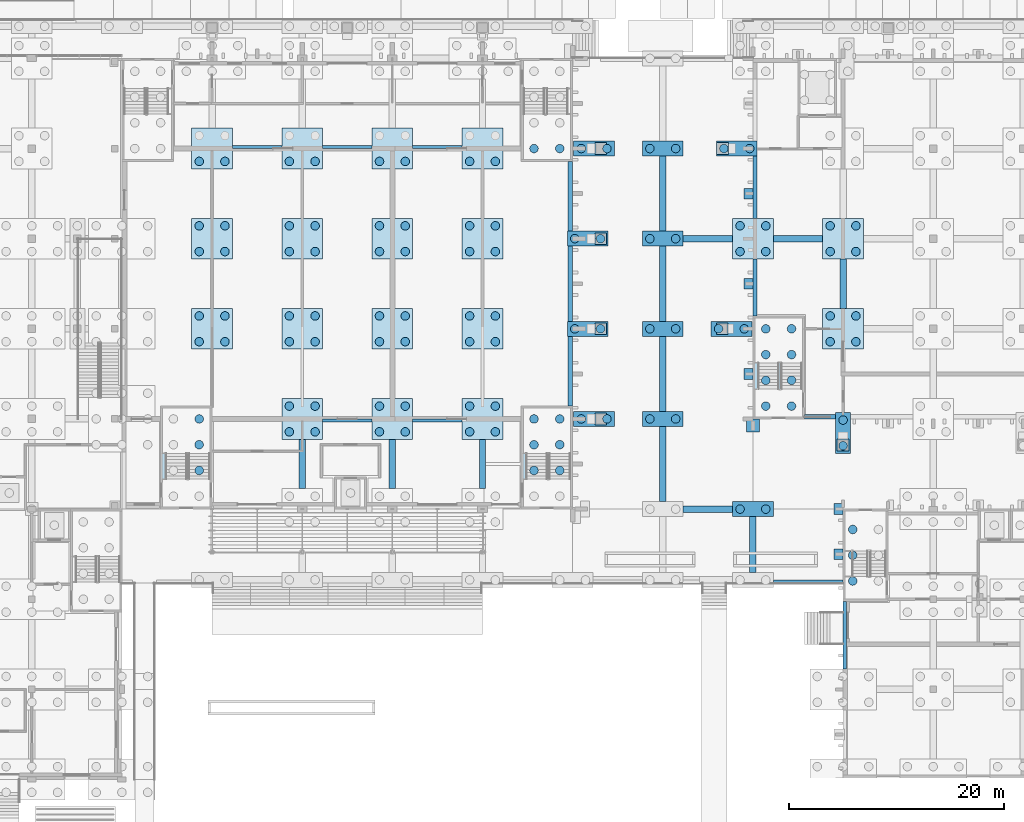
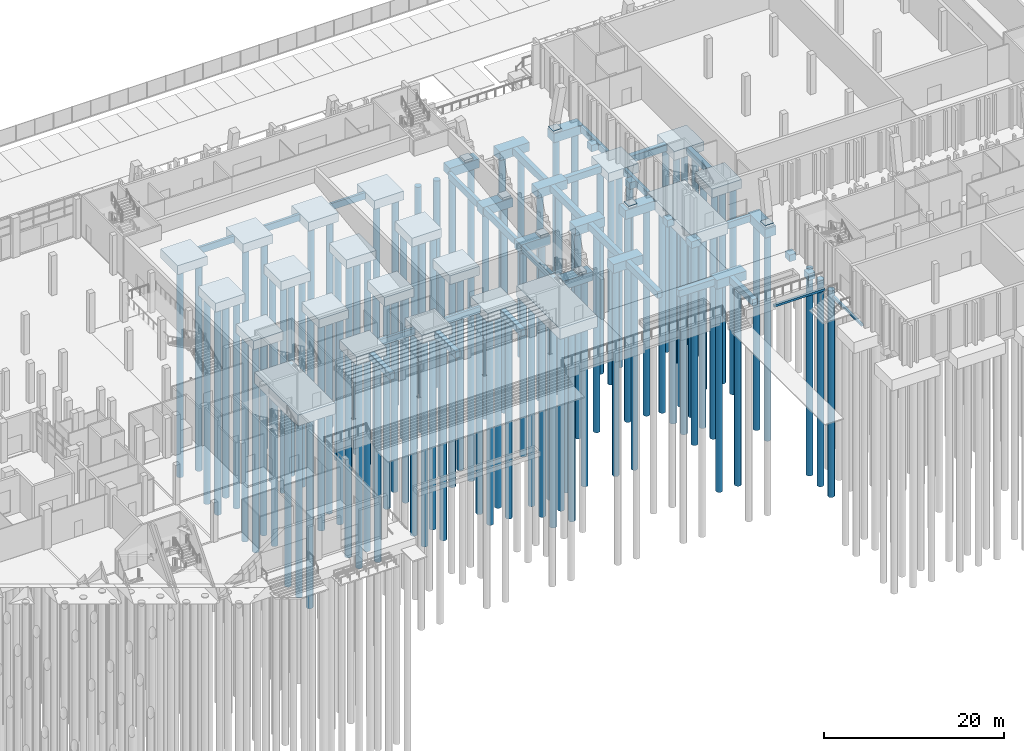
# One storey, part 5 of 129: 110 piles, 71 footings.
"""IFC4 building model written with IfcOpenShell, lengths in metres."""

from ifc_helpers import new_model, si_unit, direction, frame, origin, origin_2d, place, context, subcontext, project, spatial, rectangle, circle, extrude, material, material_profile, profile_set, type_object, element, save


model = new_model("IFC4")

# Units and contexts
model_context = context("Model", 3, precision=1e-05, world=origin(), true_north=direction((0.0, 1.0)))
body_context = subcontext(model_context, "Body", "Model", "MODEL_VIEW")
ifc_project = project(units=[si_unit("LENGTHUNIT", "METRE"), si_unit("AREAUNIT", "SQUARE_METRE"), si_unit("VOLUMEUNIT", "CUBIC_METRE"), si_unit("PLANEANGLEUNIT", "RADIAN"), si_unit("MASSUNIT", "GRAM", prefix="KILO")], contexts=[model_context])

# Site, building, storey
site_placement = place(None, origin())
site = spatial("IfcSite", under=ifc_project, at=site_placement, CompositionType="ELEMENT")
building_placement = place(site_placement, origin())
building = spatial("IfcBuilding", under=site, at=building_placement, Name="Kiln Court Media Centre", CompositionType="ELEMENT")
storey_placement = place(building_placement, origin())
storey = spatial("IfcBuildingStorey", under=building, at=storey_placement, Name="L00", CompositionType="ELEMENT", Elevation=0.0)

# Piles
ifc_material_1 = material(Name="Concrete C30/37", Category="concrete")
ifc_material_profile_1 = material_profile(ifc_material_1, circle(Radius=0.39990234375, at=origin_2d()), Name="PILE D800")
ifc_profile_set_1 = profile_set([ifc_material_profile_1], Name="Concrete C30/37")
pile_type_1 = type_object("IfcPileType", Name="Concrete C30/37 bored pile D800 cut-off -1.400 toe -29.400", PredefinedType="BORED", material=ifc_profile_set_1)
for number, where, z_axis, x_axis, name in (
    (1, (116.39990234375, 25.199951171875, -1.39990234375), (0.0, 0.0, -1.0), (1.0, 0.0, 0.0), "L00-PI-1342"),
    (2, (118.800048828125, 25.199951171875, -1.39990234375), (0.0, 0.0, -1.0), (1.0, 0.0, 0.0), "L00-PI-1343"),
    (3, (126.0, 31.10009765625, -1.39990234375), (0.0, 0.0, -1.0), (1.0, 0.0, 0.0), "L00-PI-1389"),
    (4, (126.0, 33.5, -1.39990234375), (0.0, 0.0, -1.0), (1.0, 0.0, 0.0), "L00-PI-1390"),
    (5, (74.39990234375, 32.39990234375, -1.39990234375), (0.0, 0.0, -1.0), (1.0, 0.0, 0.0), "L00-PI-1428"),
    (6, (76.800048828125, 32.39990234375, -1.39990234375), (0.0, 0.0, -1.0), (1.0, 0.0, 0.0), "L00-PI-1429"),
    (7, (74.39990234375, 34.800048828125, -1.39990234375), (0.0, 0.0, -1.0), (1.0, 0.0, 0.0), "L00-PI-1430"),
    (8, (76.800048828125, 34.800048828125, -1.39990234375), (0.0, 0.0, -1.0), (1.0, 0.0, 0.0), "L00-PI-1431"),
    (9, (82.800048828125, 32.39990234375, -1.39990234375), (0.0, 0.0, -1.0), (1.0, 0.0, 0.0), "L00-PI-1432"),
    (10, (85.199951171875, 32.39990234375, -1.39990234375), (0.0, 0.0, -1.0), (1.0, 0.0, 0.0), "L00-PI-1433"),
    (11, (82.800048828125, 34.800048828125, -1.39990234375), (0.0, 0.0, -1.0), (1.0, 0.0, 0.0), "L00-PI-1434"),
    (12, (85.199951171875, 34.800048828125, -1.39990234375), (0.0, 0.0, -1.0), (1.0, 0.0, 0.0), "L00-PI-1435"),
    (13, (91.199951171875, 32.39990234375, -1.39990234375), (0.0, 0.0, -1.0), (1.0, 0.0, 0.0), "L00-PI-1436"),
    (14, (93.60009765625, 32.39990234375, -1.39990234375), (0.0, 0.0, -1.0), (1.0, 0.0, 0.0), "L00-PI-1437"),
    (15, (91.199951171875, 34.800048828125, -1.39990234375), (0.0, 0.0, -1.0), (1.0, 0.0, 0.0), "L00-PI-1438"),
    (16, (93.60009765625, 34.800048828125, -1.39990234375), (0.0, 0.0, -1.0), (1.0, 0.0, 0.0), "L00-PI-1439"),
    (17, (101.60009765625, 33.60009765625, -1.39990234375), (0.0, 0.0, -1.0), (1.0, 0.0, 0.0), "L00-PI-1440"),
    (18, (104.0, 33.60009765625, -1.39990234375), (0.0, 0.0, -1.0), (1.0, 0.0, 0.0), "L00-PI-1441"),
    (19, (108.0, 33.60009765625, -1.39990234375), (0.0, 0.0, -1.0), (1.0, 0.0, 0.0), "L00-PI-1442"),
    (20, (110.39990234375, 33.60009765625, -1.39990234375), (0.0, 0.0, -1.0), (1.0, 0.0, 0.0), "L00-PI-1443"),
    (21, (66.0, 40.800048828125, -1.39990234375), (0.0, 0.0, -1.0), (1.0, 0.0, 0.0), "L00-PI-1541"),
    (22, (68.39990234375, 40.800048828125, -1.39990234375), (0.0, 0.0, -1.0), (1.0, 0.0, 0.0), "L00-PI-1542"),
    (23, (66.0, 43.199951171875, -1.39990234375), (0.0, 0.0, -1.0), (1.0, 0.0, 0.0), "L00-PI-1543"),
    (24, (68.39990234375, 43.199951171875, -1.39990234375), (0.0, 0.0, -1.0), (1.0, 0.0, 0.0), "L00-PI-1544"),
    (25, (74.39990234375, 40.800048828125, -1.39990234375), (0.0, 0.0, -1.0), (1.0, 0.0, 0.0), "L00-PI-1545"),
    (26, (76.800048828125, 40.800048828125, -1.39990234375), (0.0, 0.0, -1.0), (1.0, 0.0, 0.0), "L00-PI-1546"),
    (27, (74.39990234375, 43.199951171875, -1.39990234375), (0.0, 0.0, -1.0), (1.0, 0.0, 0.0), "L00-PI-1547"),
    (28, (76.800048828125, 43.199951171875, -1.39990234375), (0.0, 0.0, -1.0), (1.0, 0.0, 0.0), "L00-PI-1548"),
    (29, (82.800048828125, 40.800048828125, -1.39990234375), (0.0, 0.0, -1.0), (1.0, 0.0, 0.0), "L00-PI-1549"),
    (30, (85.199951171875, 40.800048828125, -1.39990234375), (0.0, 0.0, -1.0), (1.0, 0.0, 0.0), "L00-PI-1550"),
    (31, (82.800048828125, 43.199951171875, -1.39990234375), (0.0, 0.0, -1.0), (1.0, 0.0, 0.0), "L00-PI-1551"),
    (32, (85.199951171875, 43.199951171875, -1.39990234375), (0.0, 0.0, -1.0), (1.0, 0.0, 0.0), "L00-PI-1552"),
    (33, (91.199951171875, 40.800048828125, -1.39990234375), (0.0, 0.0, -1.0), (1.0, 0.0, 0.0), "L00-PI-1553"),
    (34, (93.60009765625, 40.800048828125, -1.39990234375), (0.0, 0.0, -1.0), (1.0, 0.0, 0.0), "L00-PI-1554"),
    (35, (91.199951171875, 43.199951171875, -1.39990234375), (0.0, 0.0, -1.0), (1.0, 0.0, 0.0), "L00-PI-1555"),
    (36, (93.60009765625, 43.199951171875, -1.39990234375), (0.0, 0.0, -1.0), (1.0, 0.0, 0.0), "L00-PI-1556"),
    (37, (101.0, 42.0, -1.39990234375), (0.0, 0.0, -1.0), (1.0, 0.0, 0.0), "L00-PI-1557"),
    (38, (103.39990234375, 42.0, -1.39990234375), (0.0, 0.0, -1.0), (1.0, 0.0, 0.0), "L00-PI-1558"),
    (39, (108.0, 42.0, -1.39990234375), (0.0, 0.0, -1.0), (1.0, 0.0, 0.0), "L00-PI-1559"),
    (40, (110.39990234375, 42.0, -1.39990234375), (0.0, 0.0, -1.0), (1.0, 0.0, 0.0), "L00-PI-1560"),
    (41, (114.39990234375, 42.0, -1.39990234375), (0.0, 0.0, -1.0), (1.0, 0.0, 0.0), "L00-PI-1561"),
    (42, (116.800048828125, 42.0, -1.39990234375), (0.0, 0.0, -1.0), (1.0, 0.0, 0.0), "L00-PI-1562"),
    (43, (124.800048828125, 40.800048828125, -1.39990234375), (0.0, 0.0, -1.0), (1.0, 0.0, 0.0), "L00-PI-1563"),
    (44, (127.199951171875, 40.800048828125, -1.39990234375), (0.0, 0.0, -1.0), (1.0, 0.0, 0.0), "L00-PI-1564"),
    (45, (124.800048828125, 43.199951171875, -1.39990234375), (0.0, 0.0, -1.0), (1.0, 0.0, 0.0), "L00-PI-1565"),
    (46, (127.199951171875, 43.199951171875, -1.39990234375), (0.0, 0.0, -1.0), (1.0, 0.0, 0.0), "L00-PI-1566"),
    (47, (66.0, 49.199951171875, -1.39990234375), (0.0, 0.0, -1.0), (1.0, 0.0, 0.0), "L00-PI-1636"),
    (48, (68.39990234375, 49.199951171875, -1.39990234375), (0.0, 0.0, -1.0), (1.0, 0.0, 0.0), "L00-PI-1637"),
    (49, (66.0, 51.60009765625, -1.39990234375), (0.0, 0.0, -1.0), (1.0, 0.0, 0.0), "L00-PI-1638"),
    (50, (68.39990234375, 51.60009765625, -1.39990234375), (0.0, 0.0, -1.0), (1.0, 0.0, 0.0), "L00-PI-1639"),
    (51, (74.39990234375, 49.199951171875, -1.39990234375), (0.0, 0.0, -1.0), (1.0, 0.0, 0.0), "L00-PI-1640"),
    (52, (76.800048828125, 49.199951171875, -1.39990234375), (0.0, 0.0, -1.0), (1.0, 0.0, 0.0), "L00-PI-1641"),
    (53, (74.39990234375, 51.60009765625, -1.39990234375), (0.0, 0.0, -1.0), (1.0, 0.0, 0.0), "L00-PI-1642"),
    (54, (76.800048828125, 51.60009765625, -1.39990234375), (0.0, 0.0, -1.0), (1.0, 0.0, 0.0), "L00-PI-1643"),
    (55, (82.800048828125, 49.199951171875, -1.39990234375), (0.0, 0.0, -1.0), (1.0, 0.0, 0.0), "L00-PI-1644"),
    (56, (85.199951171875, 49.199951171875, -1.39990234375), (0.0, 0.0, -1.0), (1.0, 0.0, 0.0), "L00-PI-1645"),
    (57, (82.800048828125, 51.60009765625, -1.39990234375), (0.0, 0.0, -1.0), (1.0, 0.0, 0.0), "L00-PI-1646"),
    (58, (85.199951171875, 51.60009765625, -1.39990234375), (0.0, 0.0, -1.0), (1.0, 0.0, 0.0), "L00-PI-1647"),
    (59, (91.199951171875, 49.199951171875, -1.39990234375), (0.0, 0.0, -1.0), (1.0, 0.0, 0.0), "L00-PI-1648"),
    (60, (93.60009765625, 49.199951171875, -1.39990234375), (0.0, 0.0, -1.0), (1.0, 0.0, 0.0), "L00-PI-1649"),
    (61, (91.199951171875, 51.60009765625, -1.39990234375), (0.0, 0.0, -1.0), (1.0, 0.0, 0.0), "L00-PI-1650"),
    (62, (93.60009765625, 51.60009765625, -1.39990234375), (0.0, 0.0, -1.0), (1.0, 0.0, 0.0), "L00-PI-1651"),
    (63, (101.0, 50.39990234375, -1.39990234375), (0.0, 0.0, -1.0), (1.0, 0.0, 0.0), "L00-PI-1652"),
    (64, (103.39990234375, 50.39990234375, -1.39990234375), (0.0, 0.0, -1.0), (1.0, 0.0, 0.0), "L00-PI-1653"),
    (65, (108.0, 50.39990234375, -1.39990234375), (0.0, 0.0, -1.0), (1.0, 0.0, 0.0), "L00-PI-1654"),
    (66, (110.39990234375, 50.39990234375, -1.39990234375), (0.0, 0.0, -1.0), (1.0, 0.0, 0.0), "L00-PI-1655"),
    (67, (116.39990234375, 49.199951171875, -1.39990234375), (0.0, 0.0, -1.0), (1.0, 0.0, 0.0), "L00-PI-1656"),
    (68, (118.800048828125, 49.199951171875, -1.39990234375), (0.0, 0.0, -1.0), (1.0, 0.0, 0.0), "L00-PI-1657"),
    (69, (116.39990234375, 51.60009765625, -1.39990234375), (0.0, 0.0, -1.0), (1.0, 0.0, 0.0), "L00-PI-1658"),
    (70, (118.800048828125, 51.60009765625, -1.39990234375), (0.0, 0.0, -1.0), (1.0, 0.0, 0.0), "L00-PI-1659"),
    (71, (124.800048828125, 49.199951171875, -1.39990234375), (0.0, 0.0, -1.0), (1.0, 0.0, 0.0), "L00-PI-1660"),
    (72, (127.199951171875, 49.199951171875, -1.39990234375), (0.0, 0.0, -1.0), (1.0, 0.0, 0.0), "L00-PI-1661"),
    (73, (124.800048828125, 51.60009765625, -1.39990234375), (0.0, 0.0, -1.0), (1.0, 0.0, 0.0), "L00-PI-1662"),
    (74, (127.199951171875, 51.60009765625, -1.39990234375), (0.0, 0.0, -1.0), (1.0, 0.0, 0.0), "L00-PI-1663"),
    (75, (66.0, 57.60009765625, -1.39990234375), (0.0, 0.0, -1.0), (1.0, 0.0, 0.0), "L00-PI-1727"),
    (76, (68.39990234375, 57.60009765625, -1.39990234375), (0.0, 0.0, -1.0), (1.0, 0.0, 0.0), "L00-PI-1728"),
    (77, (74.39990234375, 57.60009765625, -1.39990234375), (0.0, 0.0, -1.0), (1.0, 0.0, 0.0), "L00-PI-1731"),
    (78, (76.800048828125, 57.60009765625, -1.39990234375), (0.0, 0.0, -1.0), (1.0, 0.0, 0.0), "L00-PI-1732"),
    (79, (82.800048828125, 57.60009765625, -1.39990234375), (0.0, 0.0, -1.0), (1.0, 0.0, 0.0), "L00-PI-1735"),
    (80, (85.199951171875, 57.60009765625, -1.39990234375), (0.0, 0.0, -1.0), (1.0, 0.0, 0.0), "L00-PI-1736"),
    (81, (91.199951171875, 57.60009765625, -1.39990234375), (0.0, 0.0, -1.0), (1.0, 0.0, 0.0), "L00-PI-1739"),
    (82, (93.60009765625, 57.60009765625, -1.39990234375), (0.0, 0.0, -1.0), (1.0, 0.0, 0.0), "L00-PI-1740"),
    (83, (101.60009765625, 58.800048828125, -1.39990234375), (0.0, 0.0, -1.0), (1.0, 0.0, 0.0), "L00-PI-1743"),
    (84, (104.0, 58.800048828125, -1.39990234375), (0.0, 0.0, -1.0), (1.0, 0.0, 0.0), "L00-PI-1744"),
    (85, (108.0, 58.800048828125, -1.39990234375), (0.0, 0.0, -1.0), (1.0, 0.0, 0.0), "L00-PI-1745"),
    (86, (110.39990234375, 58.800048828125, -1.39990234375), (0.0, 0.0, -1.0), (1.0, 0.0, 0.0), "L00-PI-1746"),
    (87, (114.89990234375, 58.800048828125, -1.39990234375), (0.0, 0.0, -1.0), (1.0, 0.0, 0.0), "L00-PI-1747"),
    (88, (117.300048828125, 58.800048828125, -1.39990234375), (0.0, 0.0, -1.0), (1.0, 0.0, 0.0), "L00-PI-1748"),
):
    element("IfcPile", number, at=place(storey_placement, frame(where, z_axis=z_axis, x_axis=x_axis)), inside=storey, type_object=pile_type_1, Name=name, PredefinedType="BORED", context=body_context, shape_type="SweptSolid", body=[
        extrude(circle(Radius=0.39990234375, at=origin_2d()), origin(), (0.0, 0.0, 1.0), 28.0),
    ])
ifc_material_2 = material(Name="Concrete C30/37", Category="concrete")
ifc_material_profile_2 = material_profile(ifc_material_2, circle(Radius=0.39990234375, at=origin_2d()), Name="PILE D800")
ifc_profile_set_2 = profile_set([ifc_material_profile_2], Name="Concrete C30/37")
pile_type_2 = type_object("IfcPileType", Name="Concrete C30/37 bored pile D800 cut-off -1.700 toe -29.700", PredefinedType="BORED", material=ifc_profile_set_2)
for number, where, z_axis, x_axis, name in (
    (89, (126.89990234375, 18.5, -1.699951171875), (0.0, 0.0, -1.0), (1.0, 0.0, 0.0), "L00-PI-1279"),
    (90, (126.89990234375, 20.89990234375, -1.699951171875), (0.0, 0.0, -1.0), (1.0, 0.0, 0.0), "L00-PI-1281"),
    (91, (126.89990234375, 23.300048828125, -1.699951171875), (0.0, 0.0, -1.0), (1.0, 0.0, 0.0), "L00-PI-1283"),
    (92, (66.0, 28.800048828125, -1.699951171875), (0.0, 0.0, -1.0), (1.0, 0.0, 0.0), "L00-PI-1369"),
    (93, (66.0, 31.199951171875, -1.699951171875), (0.0, 0.0, -1.0), (1.0, 0.0, 0.0), "L00-PI-1371"),
    (94, (66.0, 33.60009765625, -1.699951171875), (0.0, 0.0, -1.0), (1.0, 0.0, 0.0), "L00-PI-1373"),
    (95, (97.199951171875, 28.800048828125, -1.699951171875), (0.0, 0.0, -1.0), (1.0, 0.0, 0.0), "L00-PI-1376"),
    (96, (99.60009765625, 28.800048828125, -1.699951171875), (0.0, 0.0, -1.0), (1.0, 0.0, 0.0), "L00-PI-1377"),
    (97, (97.199951171875, 31.199951171875, -1.699951171875), (0.0, 0.0, -1.0), (1.0, 0.0, 0.0), "L00-PI-1378"),
    (98, (99.60009765625, 31.199951171875, -1.699951171875), (0.0, 0.0, -1.0), (1.0, 0.0, 0.0), "L00-PI-1379"),
    (99, (97.199951171875, 33.60009765625, -1.699951171875), (0.0, 0.0, -1.0), (1.0, 0.0, 0.0), "L00-PI-1380"),
    (100, (99.60009765625, 33.60009765625, -1.699951171875), (0.0, 0.0, -1.0), (1.0, 0.0, 0.0), "L00-PI-1381"),
    (101, (118.800048828125, 34.800048828125, -1.699951171875), (0.0, 0.0, -1.0), (1.0, 0.0, 0.0), "L00-PI-1472"),
    (102, (121.199951171875, 34.800048828125, -1.699951171875), (0.0, 0.0, -1.0), (1.0, 0.0, 0.0), "L00-PI-1473"),
    (103, (118.800048828125, 37.199951171875, -1.699951171875), (0.0, 0.0, -1.0), (1.0, 0.0, 0.0), "L00-PI-1474"),
    (104, (121.199951171875, 37.199951171875, -1.699951171875), (0.0, 0.0, -1.0), (1.0, 0.0, 0.0), "L00-PI-1475"),
    (105, (118.800048828125, 39.60009765625, -1.699951171875), (0.0, 0.0, -1.0), (1.0, 0.0, 0.0), "L00-PI-1476"),
    (106, (121.199951171875, 39.60009765625, -1.699951171875), (0.0, 0.0, -1.0), (1.0, 0.0, 0.0), "L00-PI-1477"),
    (107, (118.800048828125, 42.0, -1.699951171875), (0.0, 0.0, -1.0), (1.0, 0.0, 0.0), "L00-PI-1478"),
    (108, (121.199951171875, 42.0, -1.699951171875), (0.0, 0.0, -1.0), (1.0, 0.0, 0.0), "L00-PI-1479"),
    (109, (97.199951171875, 58.800048828125, -1.699951171875), (0.0, 0.0, -1.0), (1.0, 0.0, 0.0), "L00-PI-1793"),
    (110, (99.60009765625, 58.800048828125, -1.699951171875), (0.0, 0.0, -1.0), (1.0, 0.0, 0.0), "L00-PI-1794"),
):
    element("IfcPile", number, at=place(storey_placement, frame(where, z_axis=z_axis, x_axis=x_axis)), inside=storey, type_object=pile_type_2, Name=name, PredefinedType="BORED", context=body_context, shape_type="SweptSolid", body=[
        extrude(circle(Radius=0.39990234375, at=origin_2d()), origin(), (0.0, 0.0, 1.0), 28.0),
    ])

# Footings
ifc_material_3 = material(Name="Concrete C30/37", Category="concrete")
footing_type_1 = type_object("IfcFootingType", Name="Concrete C30/37 column pad 1000x900", PredefinedType="PAD_FOOTING", material=ifc_material_3)
for number, where, z_axis, x_axis, name in (
    (111, (117.175048828125, 37.800048828125, -1.199951171875), (0.0, 0.0, 1.0), (1.0, 0.0, 0.0), "L00-FT-1538"),
    (112, (117.175048828125, 46.199951171875, -1.199951171875), (0.0, 0.0, 1.0), (1.0, 0.0, 0.0), "L00-FT-1539"),
    (113, (117.175048828125, 54.60009765625, -1.199951171875), (0.0, 0.0, 1.0), (1.0, 0.0, 0.0), "L00-FT-1540"),
    (114, (125.574951171875, 21.0, -1.199951171875), (0.0, 0.0, 1.0), (1.0, 0.0, 0.0), "L00-FT-1550"),
    (115, (125.574951171875, 25.199951171875, -1.199951171875), (0.0, 0.0, 1.0), (1.0, 0.0, 0.0), "L00-FT-1551"),
):
    element("IfcFooting", number, at=place(storey_placement, frame(where, z_axis=z_axis, x_axis=x_axis)), inside=storey, type_object=footing_type_1, Name=name, PredefinedType="PAD_FOOTING", context=body_context, shape_type="SweptSolid", body=[
        extrude(rectangle(XDim=0.85009765625, YDim=1.0, at=origin_2d()), origin(), (0.0, 0.0, 1.0), 0.89990234375),
    ])
ifc_material_4 = material(Name="Concrete C30/37", Category="concrete")
footing_type_2 = type_object("IfcFootingType", Name="Concrete C30/37 column pad 1200x900", PredefinedType="PAD_FOOTING", material=ifc_material_4)
footing_1_placement = place(storey_placement, frame((117.60009765625, 32.97509765625, -1.199951171875), z_axis=(0.0, 0.0, 1.0), x_axis=(1.0, 0.0, 0.0)))
element("IfcFooting", 116, at=footing_1_placement, inside=storey, type_object=footing_type_2, Name="L00-FT-1526", PredefinedType="PAD_FOOTING", context=body_context, shape_type="SweptSolid", body=[
    extrude(rectangle(XDim=1.199951171875, YDim=1.199951171875, at=origin_2d()), origin(), (0.0, 0.0, 1.0), 0.89990234375),
])
ifc_material_5 = material(Name="Concrete C30/37", Category="concrete")
footing_type_3 = type_object("IfcFootingType", Name="Concrete C30/37 foot pier 1100x1100", PredefinedType="PAD_FOOTING", material=ifc_material_5)
for number, where, z_axis, x_axis, name in (
    (117, (103.413330078125, 33.60009765625, -0.2998046875), (0.0, 0.0, 1.0), (1.0, 0.0, 0.0), "L00-FT-1000"),
    (118, (103.413330078125, 42.0, -0.2998046875), (0.0, 0.0, 1.0), (1.0, 0.0, 0.0), "L00-FT-1001"),
    (119, (103.413330078125, 50.39990234375, -0.2998046875), (0.0, 0.0, 1.0), (1.0, 0.0, 0.0), "L00-FT-1002"),
    (120, (103.413330078125, 58.800048828125, -0.2998046875), (0.0, 0.0, 1.0), (1.0, 0.0, 0.0), "L00-FT-1003"),
    (121, (126.0, 31.17333984375, -0.2998046875), (0.0, 0.0, 1.0), (1.0, 0.0, 0.0), "L00-FT-1007"),
    (122, (114.73974609375, 42.0, -0.2998046875), (0.0, 0.0, 1.0), (1.0, 0.0, 0.0), "L00-FT-1012"),
    (123, (114.772705078125, 58.800048828125, -0.2998046875), (0.0, 0.0, 1.0), (1.0, 0.0, 0.0), "L00-FT-1013"),
):
    element("IfcFooting", number, at=place(storey_placement, frame(where, z_axis=z_axis, x_axis=x_axis)), inside=storey, type_object=footing_type_3, Name=name, PredefinedType="PAD_FOOTING", context=body_context, shape_type="SweptSolid", body=[
        extrude(rectangle(XDim=1.10009765625, YDim=1.10009765625, at=origin_2d()), origin(), (0.0, 0.0, 1.0), 0.300048828125),
    ])
ifc_material_6 = material(Name="Concrete C30/37", Category="concrete")
footing_type_4 = type_object("IfcFootingType", Name="Concrete C30/37 ground beam 600x900", PredefinedType="STRIP_FOOTING", material=ifc_material_6)
footing_2_placement = place(storey_placement, frame((117.60009765625, 21.89990234375, -1.199951171875), z_axis=(0.0, 0.0, 1.0), x_axis=(1.0, 0.0, 0.0)))
element("IfcFooting", 124, at=footing_2_placement, inside=storey, type_object=footing_type_4, Name="L00-FT-1284", PredefinedType="STRIP_FOOTING", context=body_context, shape_type="SweptSolid", body=[
    extrude(rectangle(XDim=0.60009765625, YDim=5.199951171875, at=origin_2d()), origin(), (0.0, 0.0, 1.0), 0.89990234375),
])
footing_3_placement = place(storey_placement, frame((113.39990234375, 25.199951171875, -1.199951171875), z_axis=(0.0, 0.0, 1.0), x_axis=(1.0, 0.0, 0.0)))
element("IfcFooting", 125, at=footing_3_placement, inside=storey, type_object=footing_type_4, Name="L00-FT-1295", PredefinedType="STRIP_FOOTING", context=body_context, shape_type="SweptSolid", body=[
    extrude(rectangle(XDim=4.60009765625, YDim=0.60009765625, at=origin_2d()), origin(), (0.0, 0.0, 1.0), 0.89990234375),
])
for number, where, z_axis, x_axis, name in (
    (126, (75.60009765625, 29.39990234375, -1.199951171875), (0.0, 0.0, 1.0), (1.0, 0.0, 0.0), "L00-FT-1302"),
    (127, (84.0, 29.39990234375, -1.199951171875), (0.0, 0.0, 1.0), (1.0, 0.0, 0.0), "L00-FT-1303"),
    (128, (92.39990234375, 29.39990234375, -1.199951171875), (0.0, 0.0, 1.0), (1.0, 0.0, 0.0), "L00-FT-1304"),
):
    element("IfcFooting", number, at=place(storey_placement, frame(where, z_axis=z_axis, x_axis=x_axis)), inside=storey, type_object=footing_type_4, Name=name, PredefinedType="STRIP_FOOTING", context=body_context, shape_type="SweptSolid", body=[
        extrude(rectangle(XDim=0.60009765625, YDim=4.60009765625, at=origin_2d()), origin(), (0.0, 0.0, 1.0), 0.89990234375),
    ])
footing_4_placement = place(storey_placement, frame((109.199951171875, 29.39990234375, -1.199951171875), z_axis=(0.0, 0.0, 1.0), x_axis=(1.0, 0.0, 0.0)))
element("IfcFooting", 129, at=footing_4_placement, inside=storey, type_object=footing_type_4, Name="L00-FT-1305", PredefinedType="STRIP_FOOTING", context=body_context, shape_type="SweptSolid", body=[
    extrude(rectangle(XDim=0.60009765625, YDim=7.0, at=origin_2d()), origin(), (0.0, 0.0, 1.0), 0.89990234375),
])
for number, where, z_axis, x_axis, name in (
    (130, (79.800048828125, 33.449951171875, -1.199951171875), (0.0, 0.0, 1.0), (1.0, 0.0, 0.0), "L00-FT-1318"),
    (131, (88.199951171875, 33.449951171875, -1.199951171875), (0.0, 0.0, 1.0), (1.0, 0.0, 0.0), "L00-FT-1319"),
):
    element("IfcFooting", number, at=place(storey_placement, frame(where, z_axis=z_axis, x_axis=x_axis)), inside=storey, type_object=footing_type_4, Name=name, PredefinedType="STRIP_FOOTING", context=body_context, shape_type="SweptSolid", body=[
        extrude(rectangle(XDim=4.60009765625, YDim=0.300048828125, at=origin_2d()), origin(), (0.0, 0.0, 1.0), 0.89990234375),
    ])
for number, where, z_axis, x_axis, name in (
    (132, (109.199951171875, 37.800048828125, -1.199951171875), (0.0, 0.0, 1.0), (1.0, 0.0, 0.0), "L00-FT-1325"),
    (133, (109.199951171875, 46.199951171875, -1.199951171875), (0.0, 0.0, 1.0), (1.0, 0.0, 0.0), "L00-FT-1346"),
):
    element("IfcFooting", number, at=place(storey_placement, frame(where, z_axis=z_axis, x_axis=x_axis)), inside=storey, type_object=footing_type_4, Name=name, PredefinedType="STRIP_FOOTING", context=body_context, shape_type="SweptSolid", body=[
        extrude(rectangle(XDim=0.60009765625, YDim=7.0, at=origin_2d()), origin(), (0.0, 0.0, 1.0), 0.89990234375),
    ])
footing_5_placement = place(storey_placement, frame((126.0, 46.199951171875, -1.199951171875), z_axis=(0.0, 0.0, 1.0), x_axis=(1.0, 0.0, 0.0)))
element("IfcFooting", 134, at=footing_5_placement, inside=storey, type_object=footing_type_4, Name="L00-FT-1347", PredefinedType="STRIP_FOOTING", context=body_context, shape_type="SweptSolid", body=[
    extrude(rectangle(XDim=0.60009765625, YDim=4.60009765625, at=origin_2d()), origin(), (0.0, 0.0, 1.0), 0.89990234375),
])
for number, where, z_axis, x_axis, name in (
    (135, (113.39990234375, 50.39990234375, -1.199951171875), (0.0, 0.0, 1.0), (1.0, 0.0, 0.0), "L00-FT-1358"),
    (136, (121.800048828125, 50.39990234375, -1.199951171875), (0.0, 0.0, 1.0), (1.0, 0.0, 0.0), "L00-FT-1359"),
):
    element("IfcFooting", number, at=place(storey_placement, frame(where, z_axis=z_axis, x_axis=x_axis)), inside=storey, type_object=footing_type_4, Name=name, PredefinedType="STRIP_FOOTING", context=body_context, shape_type="SweptSolid", body=[
        extrude(rectangle(XDim=4.60009765625, YDim=0.60009765625, at=origin_2d()), origin(), (0.0, 0.0, 1.0), 0.89990234375),
    ])
footing_6_placement = place(storey_placement, frame((109.199951171875, 54.60009765625, -1.199951171875), z_axis=(0.0, 0.0, 1.0), x_axis=(1.0, 0.0, 0.0)))
element("IfcFooting", 137, at=footing_6_placement, inside=storey, type_object=footing_type_4, Name="L00-FT-1368", PredefinedType="STRIP_FOOTING", context=body_context, shape_type="SweptSolid", body=[
    extrude(rectangle(XDim=0.60009765625, YDim=7.0, at=origin_2d()), origin(), (0.0, 0.0, 1.0), 0.89990234375),
])
for number, where, z_axis, x_axis, name in (
    (138, (71.39990234375, 58.949951171875, -1.199951171875), (0.0, 0.0, 1.0), (1.0, 0.0, 0.0), "L00-FT-1377"),
    (139, (79.800048828125, 58.949951171875, -1.199951171875), (0.0, 0.0, 1.0), (1.0, 0.0, 0.0), "L00-FT-1378"),
    (140, (88.199951171875, 58.949951171875, -1.199951171875), (0.0, 0.0, 1.0), (1.0, 0.0, 0.0), "L00-FT-1379"),
):
    element("IfcFooting", number, at=place(storey_placement, frame(where, z_axis=z_axis, x_axis=x_axis)), inside=storey, type_object=footing_type_4, Name=name, PredefinedType="STRIP_FOOTING", context=body_context, shape_type="SweptSolid", body=[
        extrude(rectangle(XDim=4.60009765625, YDim=0.300048828125, at=origin_2d()), origin(), (0.0, 0.0, 1.0), 0.89990234375),
    ])
ifc_material_7 = material(Name="Concrete C30/37", Category="concrete")
footing_type_5 = type_object("IfcFootingType", Name="Concrete C30/37 pile cap 1400x3800x1200", PredefinedType="PILE_CAP", material=ifc_material_7)
footing_7_placement = place(storey_placement, frame((126.0, 32.300048828125, -1.5), z_axis=(0.0, 0.0, 1.0), x_axis=(1.0, 0.0, 0.0)))
element("IfcFooting", 141, at=footing_7_placement, inside=storey, type_object=footing_type_5, Name="L00-FT-1093", PredefinedType="PILE_CAP", context=body_context, shape_type="SweptSolid", body=[
    extrude(rectangle(XDim=1.39990234375, YDim=3.800048828125, at=origin_2d()), origin(), (0.0, 0.0, 1.0), 1.199951171875),
])
ifc_material_8 = material(Name="Concrete C30/37", Category="concrete")
footing_type_6 = type_object("IfcFootingType", Name="Concrete C30/37 pile cap 3800x1400x1200", PredefinedType="PILE_CAP", material=ifc_material_8)
for number, where, z_axis, x_axis, name in (
    (142, (117.60009765625, 25.199951171875, -1.5), (0.0, 0.0, 1.0), (1.0, 0.0, 0.0), "L00-FT-1080"),
    (143, (102.800048828125, 33.60009765625, -1.5), (0.0, 0.0, 1.0), (1.0, 0.0, 0.0), "L00-FT-1106"),
    (144, (109.199951171875, 33.60009765625, -1.5), (0.0, 0.0, 1.0), (1.0, 0.0, 0.0), "L00-FT-1107"),
    (145, (102.199951171875, 42.0, -1.5), (0.0, 0.0, 1.0), (1.0, 0.0, 0.0), "L00-FT-1131"),
    (146, (109.199951171875, 42.0, -1.5), (0.0, 0.0, 1.0), (1.0, 0.0, 0.0), "L00-FT-1132"),
    (147, (115.60009765625, 42.0, -1.5), (0.0, 0.0, 1.0), (1.0, 0.0, 0.0), "L00-FT-1133"),
    (148, (102.199951171875, 50.39990234375, -1.5), (0.0, 0.0, 1.0), (1.0, 0.0, 0.0), "L00-FT-1154"),
    (149, (109.199951171875, 50.39990234375, -1.5), (0.0, 0.0, 1.0), (1.0, 0.0, 0.0), "L00-FT-1155"),
    (150, (102.800048828125, 58.800048828125, -1.5), (0.0, 0.0, 1.0), (1.0, 0.0, 0.0), "L00-FT-1174"),
    (151, (109.199951171875, 58.800048828125, -1.5), (0.0, 0.0, 1.0), (1.0, 0.0, 0.0), "L00-FT-1175"),
    (152, (116.10009765625, 58.800048828125, -1.5), (0.0, 0.0, 1.0), (1.0, 0.0, 0.0), "L00-FT-1176"),
):
    element("IfcFooting", number, at=place(storey_placement, frame(where, z_axis=z_axis, x_axis=x_axis)), inside=storey, type_object=footing_type_6, Name=name, PredefinedType="PILE_CAP", context=body_context, shape_type="SweptSolid", body=[
        extrude(rectangle(XDim=3.800048828125, YDim=1.39990234375, at=origin_2d()), origin(), (0.0, 0.0, 1.0), 1.199951171875),
    ])
ifc_material_9 = material(Name="Concrete C30/37", Category="concrete")
footing_type_7 = type_object("IfcFootingType", Name="Concrete C30/37 pile cap 3800x3800x1200", PredefinedType="PILE_CAP", material=ifc_material_9)
for number, where, z_axis, x_axis, name in (
    (153, (75.60009765625, 33.60009765625, -1.5), (0.0, 0.0, 1.0), (1.0, 0.0, 0.0), "L00-FT-1103"),
    (154, (84.0, 33.60009765625, -1.5), (0.0, 0.0, 1.0), (1.0, 0.0, 0.0), "L00-FT-1104"),
    (155, (92.39990234375, 33.60009765625, -1.5), (0.0, 0.0, 1.0), (1.0, 0.0, 0.0), "L00-FT-1105"),
    (156, (67.199951171875, 42.0, -1.5), (0.0, 0.0, 1.0), (1.0, 0.0, 0.0), "L00-FT-1127"),
    (157, (75.60009765625, 42.0, -1.5), (0.0, 0.0, 1.0), (1.0, 0.0, 0.0), "L00-FT-1128"),
    (158, (84.0, 42.0, -1.5), (0.0, 0.0, 1.0), (1.0, 0.0, 0.0), "L00-FT-1129"),
    (159, (92.39990234375, 42.0, -1.5), (0.0, 0.0, 1.0), (1.0, 0.0, 0.0), "L00-FT-1130"),
    (160, (126.0, 42.0, -1.5), (0.0, 0.0, 1.0), (1.0, 0.0, 0.0), "L00-FT-1134"),
    (161, (67.199951171875, 50.39990234375, -1.5), (0.0, 0.0, 1.0), (1.0, 0.0, 0.0), "L00-FT-1150"),
    (162, (75.60009765625, 50.39990234375, -1.5), (0.0, 0.0, 1.0), (1.0, 0.0, 0.0), "L00-FT-1151"),
    (163, (84.0, 50.39990234375, -1.5), (0.0, 0.0, 1.0), (1.0, 0.0, 0.0), "L00-FT-1152"),
    (164, (92.39990234375, 50.39990234375, -1.5), (0.0, 0.0, 1.0), (1.0, 0.0, 0.0), "L00-FT-1153"),
    (165, (117.60009765625, 50.39990234375, -1.5), (0.0, 0.0, 1.0), (1.0, 0.0, 0.0), "L00-FT-1156"),
    (166, (126.0, 50.39990234375, -1.5), (0.0, 0.0, 1.0), (1.0, 0.0, 0.0), "L00-FT-1157"),
    (167, (67.199951171875, 58.800048828125, -1.5), (0.0, 0.0, 1.0), (1.0, 0.0, 0.0), "L00-FT-1170"),
    (168, (75.60009765625, 58.800048828125, -1.5), (0.0, 0.0, 1.0), (1.0, 0.0, 0.0), "L00-FT-1171"),
    (169, (84.0, 58.800048828125, -1.5), (0.0, 0.0, 1.0), (1.0, 0.0, 0.0), "L00-FT-1172"),
    (170, (92.39990234375, 58.800048828125, -1.5), (0.0, 0.0, 1.0), (1.0, 0.0, 0.0), "L00-FT-1173"),
):
    element("IfcFooting", number, at=place(storey_placement, frame(where, z_axis=z_axis, x_axis=x_axis)), inside=storey, type_object=footing_type_7, Name=name, PredefinedType="PILE_CAP", context=body_context, shape_type="SweptSolid", body=[
        extrude(rectangle(XDim=3.800048828125, YDim=3.800048828125, at=origin_2d()), origin(), (0.0, 0.0, 1.0), 1.199951171875),
    ])
ifc_material_10 = material(Name="Concrete C30/37", Category="concrete")
footing_type_8 = type_object("IfcFootingType", Name="Concrete C30/37 pile cap 4800x9600x1500", PredefinedType="PILE_CAP", material=ifc_material_10)
for number, where, z_axis, x_axis, name in (
    (171, (64.800048828125, 30.0, -1.800048828125), (0.0, 0.0, 1.0), (1.0, 0.0, 0.0), "L00-FT-1088"),
    (172, (98.39990234375, 30.0, -1.800048828125), (0.0, 0.0, 1.0), (1.0, 0.0, 0.0), "L00-FT-1089"),
    (173, (120.0, 38.39990234375, -1.800048828125), (0.0, 0.0, 1.0), (1.0, 0.0, 0.0), "L00-FT-1116"),
):
    element("IfcFooting", number, at=place(storey_placement, frame(where, z_axis=z_axis, x_axis=x_axis)), inside=storey, type_object=footing_type_8, Name=name, PredefinedType="PILE_CAP", context=body_context, shape_type="SweptSolid", body=[
        extrude(rectangle(XDim=4.800048828125, YDim=9.60009765625, at=origin_2d()), origin(), (0.0, 0.0, 1.0), 1.5),
    ])
ifc_material_11 = material(Name="Concrete C30/37", Category="concrete")
footing_type_9 = type_object("IfcFootingType", Name="Concrete C30/37 wall footing 300x300", PredefinedType="STRIP_FOOTING", material=ifc_material_11)
footing_8_placement = place(storey_placement, frame((122.74951171875, 18.449951171875, -1.5), z_axis=(0.0, 0.0, 1.0), x_axis=(1.0, 0.0, 0.0)))
element("IfcFooting", 174, at=footing_8_placement, inside=storey, type_object=footing_type_9, Name="L00-FT-1479", PredefinedType="STRIP_FOOTING", context=body_context, shape_type="SweptSolid", body=[
    extrude(rectangle(XDim=6.4990234375, YDim=0.300048828125, at=origin_2d()), origin(), (0.0, 0.0, 1.0), 0.300048828125),
])
footing_9_placement = place(storey_placement, frame((126.14990234375, 13.449951171875, -1.5), z_axis=(0.0, 0.0, 1.0), x_axis=(1.0, 0.0, 0.0)))
element("IfcFooting", 175, at=footing_9_placement, inside=storey, type_object=footing_type_9, Name="L00-FT-1481", PredefinedType="STRIP_FOOTING", context=body_context, shape_type="SweptSolid", body=[
    extrude(rectangle(XDim=0.300048828125, YDim=6.300048828125, at=origin_2d()), origin(), (0.0, 0.0, 1.0), 0.300048828125),
])
ifc_material_12 = material(Name="Concrete C30/37", Category="concrete")
footing_type_10 = type_object("IfcFootingType", Name="Concrete C30/37 wall footing 400x900", PredefinedType="STRIP_FOOTING", material=ifc_material_12)
footing_10_placement = place(storey_placement, frame((123.85009765625, 33.800048828125, -1.199951171875), z_axis=(0.0, 0.0, 1.0), x_axis=(1.0, 0.0, 0.0)))
element("IfcFooting", 176, at=footing_10_placement, inside=storey, type_object=footing_type_10, Name="L00-FT-1453", PredefinedType="STRIP_FOOTING", context=body_context, shape_type="SweptSolid", body=[
    extrude(rectangle(XDim=2.89990234375, YDim=0.39990234375, at=origin_2d()), origin(), (0.0, 0.0, 1.0), 0.89990234375),
])
footing_11_placement = place(storey_placement, frame((117.800048828125, 45.85009765625, -1.199951171875), z_axis=(0.0, 0.0, 1.0), x_axis=(1.0, 0.0, 0.0)))
element("IfcFooting", 177, at=footing_11_placement, inside=storey, type_object=footing_type_10, Name="L00-FT-1460", PredefinedType="STRIP_FOOTING", context=body_context, shape_type="SweptSolid", body=[
    extrude(rectangle(XDim=0.39990234375, YDim=5.300048828125, at=origin_2d()), origin(), (0.0, 0.0, 1.0), 0.89990234375),
])
footing_12_placement = place(storey_placement, frame((117.800048828125, 55.199951171875, -1.199951171875), z_axis=(0.0, 0.0, 1.0), x_axis=(1.0, 0.0, 0.0)))
element("IfcFooting", 178, at=footing_12_placement, inside=storey, type_object=footing_type_10, Name="L00-FT-1461", PredefinedType="STRIP_FOOTING", context=body_context, shape_type="SweptSolid", body=[
    extrude(rectangle(XDim=0.39990234375, YDim=5.800048828125, at=origin_2d()), origin(), (0.0, 0.0, 1.0), 0.89990234375),
])
ifc_material_13 = material(Name="Concrete C30/37", Category="concrete")
footing_type_11 = type_object("IfcFootingType", Name="Concrete C30/37 wall footing 450x900", PredefinedType="STRIP_FOOTING", material=ifc_material_13)
footing_13_placement = place(storey_placement, frame((100.574951171875, 38.050048828125, -1.199951171875), z_axis=(0.0, 0.0, 1.0), x_axis=(1.0, 0.0, 0.0)))
element("IfcFooting", 179, at=footing_13_placement, inside=storey, type_object=footing_type_11, Name="L00-FT-1448", PredefinedType="STRIP_FOOTING", context=body_context, shape_type="SweptSolid", body=[
    extrude(rectangle(XDim=0.449951171875, YDim=6.5, at=origin_2d()), origin(), (0.0, 0.0, 1.0), 0.89990234375),
])
footing_14_placement = place(storey_placement, frame((100.574951171875, 46.199951171875, -1.199951171875), z_axis=(0.0, 0.0, 1.0), x_axis=(1.0, 0.0, 0.0)))
element("IfcFooting", 180, at=footing_14_placement, inside=storey, type_object=footing_type_11, Name="L00-FT-1449", PredefinedType="STRIP_FOOTING", context=body_context, shape_type="SweptSolid", body=[
    extrude(rectangle(XDim=0.449951171875, YDim=7.0, at=origin_2d()), origin(), (0.0, 0.0, 1.0), 0.89990234375),
])
footing_15_placement = place(storey_placement, frame((100.574951171875, 54.35009765625, -1.199951171875), z_axis=(0.0, 0.0, 1.0), x_axis=(1.0, 0.0, 0.0)))
element("IfcFooting", 181, at=footing_15_placement, inside=storey, type_object=footing_type_11, Name="L00-FT-1450", PredefinedType="STRIP_FOOTING", context=body_context, shape_type="SweptSolid", body=[
    extrude(rectangle(XDim=0.449951171875, YDim=6.5, at=origin_2d()), origin(), (0.0, 0.0, 1.0), 0.89990234375),
])

save(model, "model.ifc")
